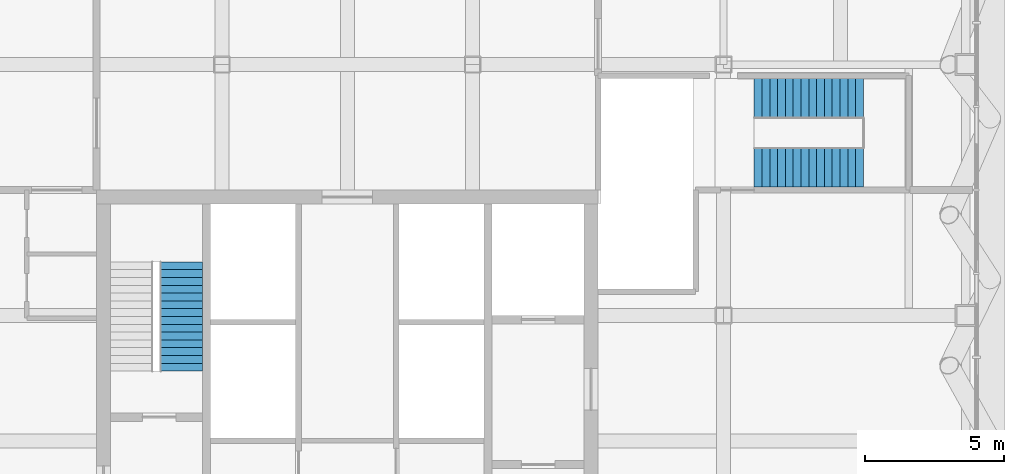
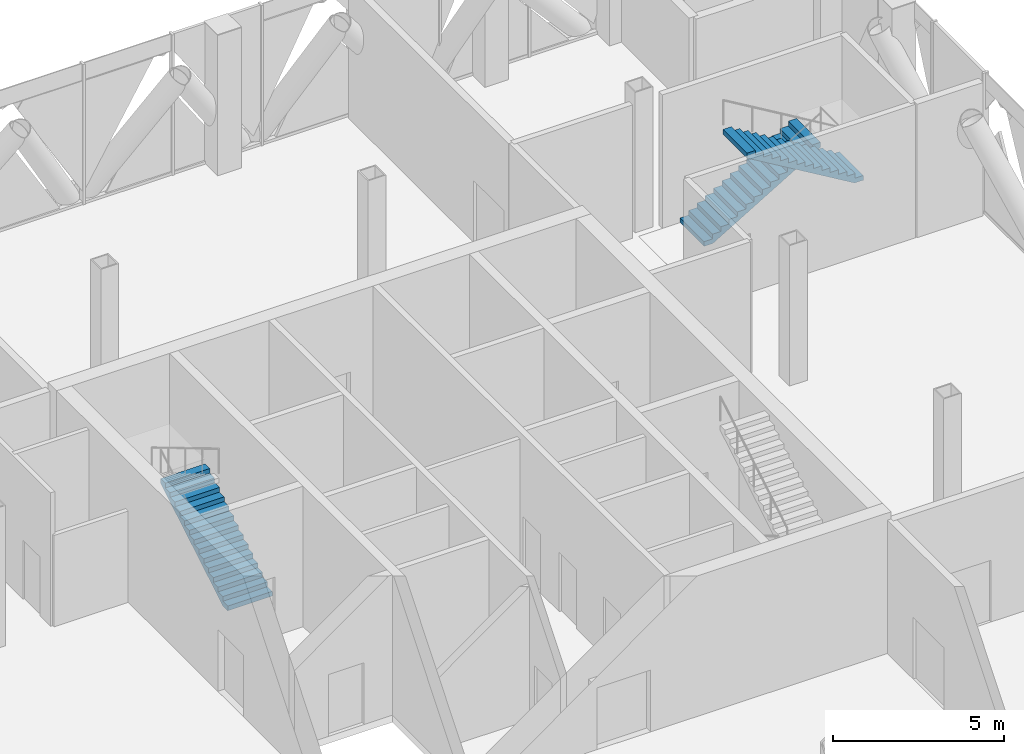
# One storey, part 16 of 27: 3 stair flights, 2 elements without a shape of their own.
"""IFC4 building model written with IfcOpenShell, lengths in metres."""

from ifc_helpers import new_model, si_unit, direction, frame, origin, place, context, subcontext, project, spatial, polyline, outline, extrude, material, type_object, element, aggregate, save


model = new_model("IFC4")

# Units and contexts
model_context = context("Model", 3, precision=1e-05, world=origin(), true_north=direction((0.0, 1.0)))
body_context = subcontext(model_context, "Body", "Model", "MODEL_VIEW")
ifc_project = project(units=[si_unit("LENGTHUNIT", "METRE"), si_unit("AREAUNIT", "SQUARE_METRE"), si_unit("VOLUMEUNIT", "CUBIC_METRE"), si_unit("PLANEANGLEUNIT", "RADIAN"), si_unit("MASSUNIT", "GRAM", prefix="KILO")], contexts=[model_context])

# Site, building, storey
site_placement = place(None, origin())
site = spatial("IfcSite", under=ifc_project, at=site_placement, CompositionType="ELEMENT")
building_placement = place(site_placement, origin())
building = spatial("IfcBuilding", under=site, at=building_placement, Name="Malebo Sky Hospital", CompositionType="ELEMENT")
storey_placement = place(building_placement, frame((0.0, 0.0, 245.0)))
storey = spatial("IfcBuildingStorey", under=building, at=storey_placement, Name="L59", CompositionType="ELEMENT", Elevation=245.0)

# Stair, stair flights
ifc_material = material(Name="Concrete C40/50", Category="concrete")
stair_type_1 = type_object("IfcStairType", Name="HALF-TURN STAIR 1400 R167", PredefinedType="HALF_TURN_STAIR", material=ifc_material)
stair_1_placement = place(storey_placement, origin())
stair_1 = element("IfcStair", 1, at=stair_1_placement, inside=storey, type_object=stair_type_1, Name="Stair S3 L59 type ST1B", PredefinedType="HALF_TURN_STAIR")
stair_flight_type_1 = type_object("IfcStairFlightType", Name="STAIR FLIGHT 1400 R167", PredefinedType="STRAIGHT", material=ifc_material)
stair_flight_1_placement = place(storey_placement, frame((74.60009765625, 74.300048828125, 0.0), z_axis=(0.0, 0.0, 1.0), x_axis=(1.0, 0.0, 0.0)))
stair_flight_1 = element("IfcStairFlight", 2, at=stair_flight_1_placement, type_object=stair_flight_type_1, Name="S3 flight 1 type SF1B", NumberOfRisers=15, NumberOfTreads=14, PredefinedType="STRAIGHT", RiserHeight=0.166666667, TreadLength=0.28, context=body_context, shape_type="SweptSolid", body=[
    extrude(outline(polyline([(0.0, 0.0), (0.0, 0.166748046875), (0.280029296875, 0.166748046875), (0.280029296875, 0.333251953125), (0.56005859375, 0.333251953125), (0.56005859375, 0.5), (0.840087890625, 0.5), (0.840087890625, 0.666748046875), (1.1201171875, 0.666748046875), (1.1201171875, 0.833251953125), (1.39990234375, 0.833251953125), (1.39990234375, 1.0), (1.679931640625, 1.0), (1.679931640625, 1.166748046875), (1.9599609375, 1.166748046875), (1.9599609375, 1.333251953125), (2.239990234375, 1.333251953125), (2.239990234375, 1.5), (2.52001953125, 1.5), (2.52001953125, 1.666748046875), (2.800048828125, 1.666748046875), (2.800048828125, 1.833251953125), (3.080078125, 1.833251953125), (3.080078125, 2.0), (3.360107421875, 2.0), (3.360107421875, 2.166748046875), (3.639892578125, 2.166748046875), (3.639892578125, 2.333251953125), (3.919921875, 2.333251953125), (3.919921875, 2.5), (3.919921875, 2.158935546875), (0.29296875, 0.0), (0.0, 0.0)])), frame((0.0, 0.699951171875, 0.0), z_axis=(0.0, -1.0, 0.0), x_axis=(1.0, 0.0, 0.0)), (0.0, 0.0, 1.0), 1.39990234375),
])
stair_flight_2_placement = place(storey_placement, frame((78.52001953125, 71.800048828125, 2.5), z_axis=(0.0, 0.0, 1.0), x_axis=(-1.0, 0.0, 0.0)))
stair_flight_2 = element("IfcStairFlight", 3, at=stair_flight_2_placement, type_object=stair_flight_type_1, Name="S3 flight 2 type SF1B", NumberOfRisers=15, NumberOfTreads=14, PredefinedType="STRAIGHT", RiserHeight=0.166666667, TreadLength=0.28, context=body_context, shape_type="SweptSolid", body=[
    extrude(outline(polyline([(0.0, 0.0), (0.0, 0.166748046875), (0.280029296875, 0.166748046875), (0.280029296875, 0.333251953125), (0.56005859375, 0.333251953125), (0.56005859375, 0.5), (0.840087890625, 0.5), (0.840087890625, 0.666748046875), (1.1201171875, 0.666748046875), (1.1201171875, 0.833251953125), (1.39990234375, 0.833251953125), (1.39990234375, 1.0), (1.679931640625, 1.0), (1.679931640625, 1.166748046875), (1.9599609375, 1.166748046875), (1.9599609375, 1.333251953125), (2.239990234375, 1.333251953125), (2.239990234375, 1.5), (2.52001953125, 1.5), (2.52001953125, 1.666748046875), (2.800048828125, 1.666748046875), (2.800048828125, 1.833251953125), (3.080078125, 1.833251953125), (3.080078125, 2.0), (3.360107421875, 2.0), (3.360107421875, 2.166748046875), (3.639892578125, 2.166748046875), (3.639892578125, 2.333251953125), (3.919921875, 2.333251953125), (3.919921875, 2.5), (3.919921875, 2.158935546875), (0.29296875, 0.0), (0.0, 0.0)])), frame((0.0, 0.699951171875, 0.0), z_axis=(0.0, -1.0, 0.0), x_axis=(1.0, 0.0, 0.0)), (0.0, 0.0, 1.0), 1.39990234375),
])
aggregate(stair_1, [stair_flight_1, stair_flight_2])

# Stair, stair flight
stair_type_2 = type_object("IfcStairType", Name="HALF-TURN STAIR 1500 R167", PredefinedType="HALF_TURN_STAIR", material=ifc_material)
stair_2_placement = place(storey_placement, origin())
stair_2 = element("IfcStair", 4, at=stair_2_placement, inside=storey, type_object=stair_type_2, Name="Stair S1 L59 type ST1", PredefinedType="HALF_TURN_STAIR")
stair_flight_type_2 = type_object("IfcStairFlightType", Name="STAIR FLIGHT 1500 R167", PredefinedType="STRAIGHT", material=ifc_material)
stair_flight_3_placement = place(storey_placement, frame((54.050048828125, 64.5, 0.0), z_axis=(0.0, 0.0, 1.0), x_axis=(0.0, 1.0, 0.0)))
stair_flight_3 = element("IfcStairFlight", 5, at=stair_flight_3_placement, type_object=stair_flight_type_2, Name="S1 flight 1 type SF1", NumberOfRisers=15, NumberOfTreads=14, PredefinedType="STRAIGHT", RiserHeight=0.166666667, TreadLength=0.28, context=body_context, shape_type="SweptSolid", body=[
    extrude(outline(polyline([(0.0, 0.0), (0.0, 0.166748046875), (0.280029296875, 0.166748046875), (0.280029296875, 0.333251953125), (0.56005859375, 0.333251953125), (0.56005859375, 0.5), (0.840087890625, 0.5), (0.840087890625, 0.666748046875), (1.1201171875, 0.666748046875), (1.1201171875, 0.833251953125), (1.39990234375, 0.833251953125), (1.39990234375, 1.0), (1.679931640625, 1.0), (1.679931640625, 1.166748046875), (1.9599609375, 1.166748046875), (1.9599609375, 1.333251953125), (2.239990234375, 1.333251953125), (2.239990234375, 1.5), (2.52001953125, 1.5), (2.52001953125, 1.666748046875), (2.800048828125, 1.666748046875), (2.800048828125, 1.833251953125), (3.080078125, 1.833251953125), (3.080078125, 2.0), (3.360107421875, 2.0), (3.360107421875, 2.166748046875), (3.639892578125, 2.166748046875), (3.639892578125, 2.333251953125), (3.919921875, 2.333251953125), (3.919921875, 2.5), (3.919921875, 2.158935546875), (0.29296875, 0.0), (0.0, 0.0)])), frame((0.0, 0.75, 0.0), z_axis=(0.0, -1.0, 0.0), x_axis=(1.0, 0.0, 0.0)), (0.0, 0.0, 1.0), 1.5),
])
aggregate(stair_2, [stair_flight_3])

save(model, "model.ifc")
